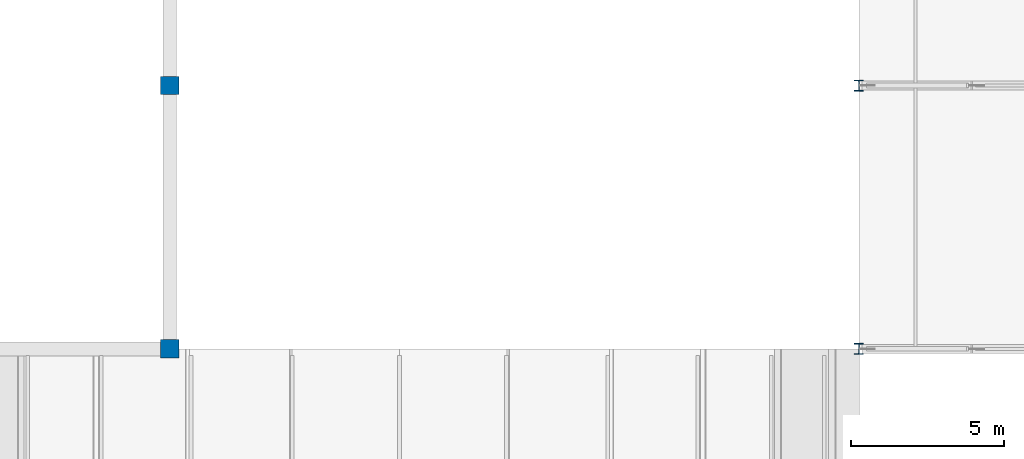
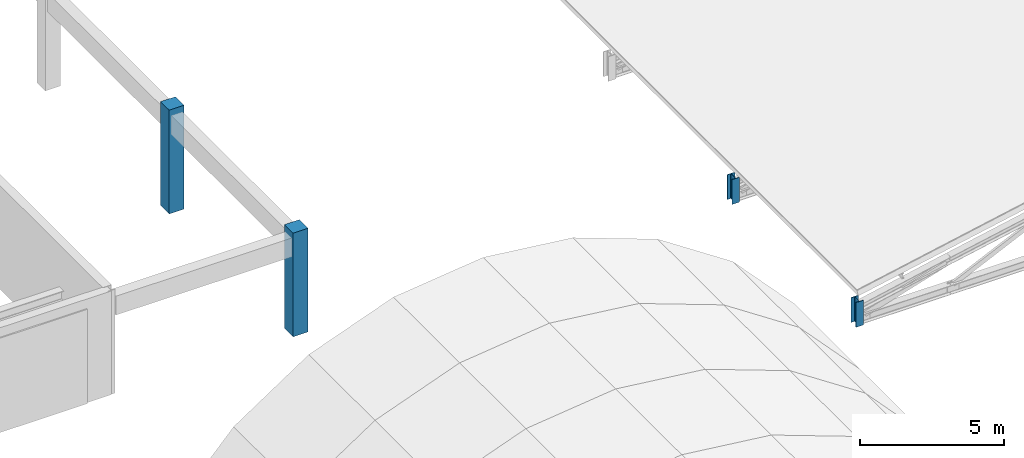
# One storey, part 2 of 47: 4 columns.
"""IFC4 building model written with IfcOpenShell, lengths in metres."""

from ifc_helpers import new_model, si_unit, direction, frame, origin, origin_2d, place, context, subcontext, project, spatial, rectangle, i_section, extrude, material, material_profile, profile_set, type_object, element, save


model = new_model("IFC4")

# Units and contexts
model_context = context("Model", 3, precision=1e-05, world=origin(), true_north=direction((0.0, 1.0)))
body_context = subcontext(model_context, "Body", "Model", "MODEL_VIEW")
ifc_project = project(units=[si_unit("LENGTHUNIT", "METRE"), si_unit("AREAUNIT", "SQUARE_METRE"), si_unit("VOLUMEUNIT", "CUBIC_METRE"), si_unit("PLANEANGLEUNIT", "RADIAN"), si_unit("MASSUNIT", "GRAM", prefix="KILO")], contexts=[model_context])

# Site, building, storey
site_placement = place(None, origin())
site = spatial("IfcSite", under=ifc_project, at=site_placement, CompositionType="ELEMENT")
building_placement = place(site_placement, origin())
building = spatial("IfcBuilding", under=site, at=building_placement, Name="Muzn Square Opera House", CompositionType="ELEMENT")
storey_placement = place(building_placement, frame((0.0, 0.0, 31.0)))
storey = spatial("IfcBuildingStorey", under=building, at=storey_placement, Name="RF-1", CompositionType="ELEMENT", Elevation=31.0)

# Columns
ifc_material_1 = material(Name="Concrete C45/55", Category="concrete")
ifc_material_profile_1 = material_profile(ifc_material_1, rectangle(XDim=0.60009765625, YDim=0.60009765625, at=origin_2d()), Name="RC 600x600", Category="concrete")
ifc_profile_set_1 = profile_set([ifc_material_profile_1], Name="Concrete C45/55")
column_type_1 = type_object("IfcColumnType", Name="Frame Column 600x600", PredefinedType="COLUMN", material=ifc_profile_set_1)
for number, where, z_axis, x_axis, name in (
    (1, (110.5, 72.60009765625, 0.0), (0.0, 0.0, 1.0), (1.0, 0.0, 0.0), "Column COL-RF1-COL-600-1105_726"),
    (2, (110.5, 81.199951171875, 0.0), (0.0, 0.0, 1.0), (1.0, 0.0, 0.0), "Column COL-RF1-COL-600-1105_812"),
):
    element("IfcColumn", number, at=place(storey_placement, frame(where, z_axis=z_axis, x_axis=x_axis)), inside=storey, type_object=column_type_1, Name=name, PredefinedType="COLUMN", context=body_context, shape_type="SweptSolid", body=[
        extrude(rectangle(XDim=0.60009765625, YDim=0.60009765625, at=origin_2d()), origin(), (0.0, 0.0, 1.0), 4.39990234375),
    ])
ifc_material_2 = material(Name="Steel S355", Category="steel")
ifc_material_profile_2 = material_profile(ifc_material_2, i_section(OverallWidth=0.300048828125, OverallDepth=0.360107421875, WebThickness=0.012451171875, FlangeThickness=0.0224609375, FilletRadius=0.027099609375, at=origin_2d()), Name="HEB 360", Category="steel")
ifc_profile_set_2 = profile_set([ifc_material_profile_2], Name="Steel S355")
column_type_2 = type_object("IfcColumnType", Name="Steel Gallery Column HEB360", PredefinedType="COLUMN", material=ifc_profile_set_2)
for number, where, z_axis, x_axis, name in (
    (3, (133.0, 72.60009765625, -7.60009765625), (0.0, 0.0, 1.0), (1.0, 0.0, 0.0), "Rehearsal Roof Truss Eave Pedestal T1-W"),
    (4, (133.0, 81.199951171875, -7.60009765625), (0.0, 0.0, 1.0), (1.0, 0.0, 0.0), "Rehearsal Roof Truss Eave Pedestal T2-W"),
):
    element("IfcColumn", number, at=place(storey_placement, frame(where, z_axis=z_axis, x_axis=x_axis)), inside=storey, type_object=column_type_2, Name=name, PredefinedType="COLUMN", context=body_context, shape_type="SweptSolid", body=[
        extrude(i_section(OverallWidth=0.300048828125, OverallDepth=0.360107421875, WebThickness=0.012451171875, FlangeThickness=0.0224609375, FilletRadius=0.027099609375, at=origin_2d()), origin(), (0.0, 0.0, 1.0), 1.050048828125),
    ])

save(model, "model.ifc")
